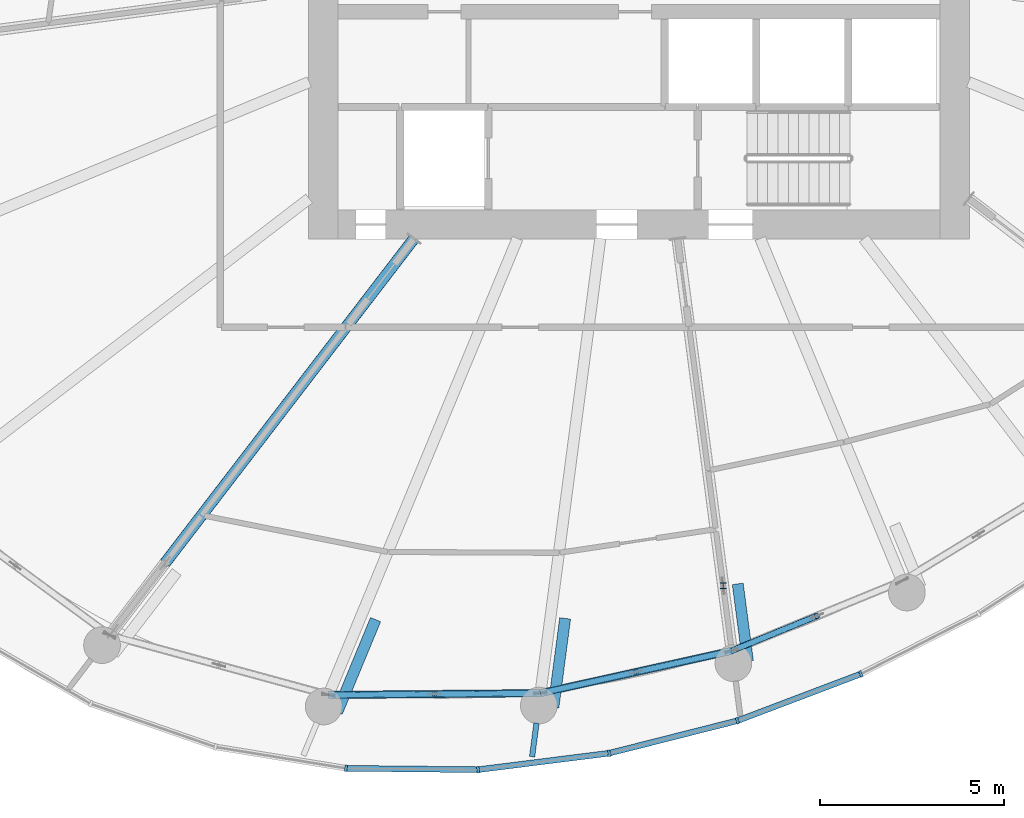
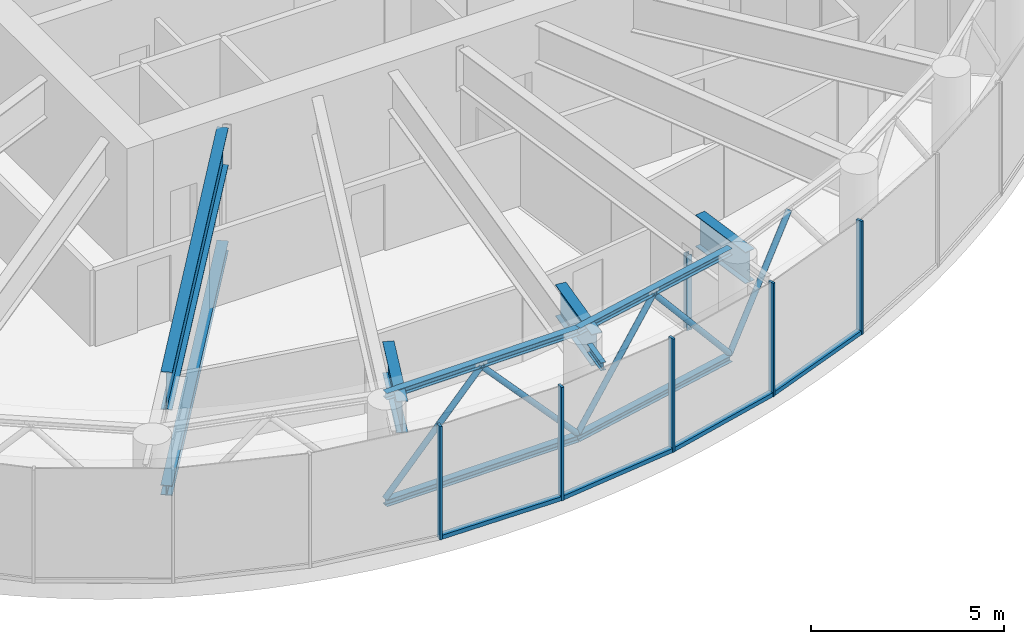
# One storey, part 3 of 25: 20 members, 5 beams, 1 element without a shape of its own.
"""IFC4 building model written with IfcOpenShell, lengths in metres."""

from ifc_helpers import new_model, si_unit, direction, frame, origin, origin_2d, place, context, subcontext, project, spatial, rectangle, hollow_circle, i_section, extrude, source, transform, mapped, material, layer, layer_set, material_profile, profile_set, type_object, element, aggregate, save


model = new_model("IFC4")

# Units and contexts
model_context = context("Model", 3, precision=1e-05, world=origin(), true_north=direction((0.0, 1.0)))
body_context = subcontext(model_context, "Body", "Model", "MODEL_VIEW")
ifc_project = project(units=[si_unit("LENGTHUNIT", "METRE"), si_unit("AREAUNIT", "SQUARE_METRE"), si_unit("VOLUMEUNIT", "CUBIC_METRE"), si_unit("PLANEANGLEUNIT", "RADIAN"), si_unit("MASSUNIT", "GRAM", prefix="KILO")], contexts=[model_context])

# Site, building, storey
site_placement = place(None, origin())
site = spatial("IfcSite", under=ifc_project, at=site_placement, CompositionType="ELEMENT")
building_placement = place(site_placement, origin())
building = spatial("IfcBuilding", under=site, at=building_placement, Name="Spindrift Exchange Tower", CompositionType="ELEMENT")
storey_placement = place(building_placement, frame((0.0, 0.0, 179.89990234375)))
storey = spatial("IfcBuildingStorey", under=building, at=storey_placement, Name="L43", CompositionType="ELEMENT", Elevation=179.89990234375)

# Beam
ifc_material_1 = material(Name="Steel Grade 300", Category="steel")
ifc_material_profile_1 = material_profile(ifc_material_1, i_section(OverallWidth=0.14599609375, OverallDepth=0.251953125, WebThickness=0.006103515625, FlangeThickness=0.008544921875, FilletRadius=0.011962890625, at=origin_2d()), Name="250UB31.4")
ifc_profile_set_1 = profile_set([ifc_material_profile_1], Name="Steel Grade 300")
beam_type_1 = type_object("IfcBeamType", Name="Cantilever Beam 250UB31.4 Steel Grade 300", PredefinedType="BEAM", material=ifc_profile_set_1)
shared_shape_1 = source(origin(), body_context, "Body", "SweptSolid", [
    extrude(i_section(OverallWidth=0.14599609375, OverallDepth=0.251953125, WebThickness=0.006103515625, FlangeThickness=0.008544921875, FilletRadius=0.011962890625, at=origin_2d()), origin(), (0.0, 0.0, 1.0), 0.9267578125),
])
beam_1_placement = place(storey_placement, frame((49.21142578125, 26.81884765625, 3.4541015625), z_axis=(-0.130386374353, -0.991463258716, 0.0), x_axis=(0.991463258716, -0.130386374353, 0.0)))
element("IfcBeam", 1, at=beam_1_placement, inside=storey, type_object=beam_type_1, Name="L43 cantilever beam R18T", PredefinedType="BEAM", context=body_context, shape_type="MappedRepresentation", body=[
    mapped(shared_shape_1, transform((0.0, 0.0, 0.0), scale=1.0)),
])

# Member
ifc_material_profile_2 = material_profile(ifc_material_1, i_section(OverallWidth=0.154052734375, OverallDepth=0.162109375, WebThickness=0.008056640625, FlangeThickness=0.011474609375, FilletRadius=0.008056640625, at=origin_2d()), Name="150UC37.2")
ifc_profile_set_2 = profile_set([ifc_material_profile_2], Name="Steel Grade 300")
member_type_1 = type_object("IfcMemberType", Name="Outrigger Truss Post 150UC37.2 Steel Grade 300", PredefinedType="POST", material=ifc_profile_set_2)
shared_shape_2 = source(origin(), body_context, "Body", "SweptSolid", [
    extrude(i_section(OverallWidth=0.154052734375, OverallDepth=0.162109375, WebThickness=0.008056640625, FlangeThickness=0.011474609375, FilletRadius=0.008056640625, at=origin_2d()), origin(), (0.0, 0.0, 1.0), 2.380126953125),
])
member_1_placement = place(storey_placement, frame((54.29638671875, 30.5576171875, 0.0), z_axis=(0.0, 0.0, 1.0), x_axis=(1.0, 0.0, 0.0)))
element("IfcMember", 2, at=member_1_placement, inside=storey, type_object=member_type_1, Name="L43 outrigger truss 19 post 1", PredefinedType="POST", context=body_context, shape_type="MappedRepresentation", body=[
    mapped(shared_shape_2, transform((0.0, 0.0, 0.0), scale=1.0)),
])

# Beam
ifc_material_profile_3 = material_profile(ifc_material_1, i_section(OverallWidth=0.300048828125, OverallDepth=1.199951171875, WebThickness=0.011962890625, FlangeThickness=0.028076171875, at=origin_2d()), Name="1200WB249")
ifc_profile_set_3 = profile_set([ifc_material_profile_3], Name="Steel Grade 300")
beam_type_2 = type_object("IfcBeamType", Name="Outrigger Truss Transfer Girder 1200WB249 Steel Grade 300", PredefinedType="BEAM", material=ifc_profile_set_3)
shared_shape_3 = source(origin(), body_context, "Body", "SweptSolid", [
    extrude(i_section(OverallWidth=0.300048828125, OverallDepth=1.199951171875, WebThickness=0.011962890625, FlangeThickness=0.028076171875, at=origin_2d()), origin(), (0.0, 0.0, 1.0), 11.14111328125),
])
beam_2_placement = place(storey_placement, frame((45.87353515625, 40.015869140625, 2.97998046875), z_axis=(-0.608757204711, -0.793356581691, 0.0), x_axis=(0.793356581691, -0.608757204711, 0.0)))
element("IfcBeam", 3, at=beam_2_placement, inside=storey, type_object=beam_type_2, Name="L43 outrigger truss 16 top chord 1", PredefinedType="BEAM", context=body_context, shape_type="MappedRepresentation", body=[
    mapped(shared_shape_3, transform((0.0, 0.0, 0.0), scale=1.0)),
])

# Members
ifc_material_profile_4 = material_profile(ifc_material_1, i_section(OverallWidth=0.306884765625, OverallDepth=0.31396484375, WebThickness=0.011962890625, FlangeThickness=0.018798828125, FilletRadius=0.0166015625, at=origin_2d()), Name="310UC118")
ifc_profile_set_4 = profile_set([ifc_material_profile_4], Name="Steel Grade 300")
member_type_2 = type_object("IfcMemberType", Name="Outrigger Truss Chord 310UC118 Steel Grade 300", PredefinedType="CHORD", material=ifc_profile_set_4)
shared_shape_4 = source(origin(), body_context, "Body", "SweptSolid", [
    extrude(i_section(OverallWidth=0.306884765625, OverallDepth=0.31396484375, WebThickness=0.011962890625, FlangeThickness=0.018798828125, FilletRadius=0.0166015625, at=origin_2d()), origin(), (0.0, 0.0, 1.0), 11.14111328125),
])
member_2_placement = place(storey_placement, frame((45.87353515625, 40.015869140625, -0.156982421875), z_axis=(-0.608757204711, -0.793356581691, 0.0), x_axis=(0.793356581691, -0.608757204711, 0.0)))
element("IfcMember", 4, at=member_2_placement, inside=storey, type_object=member_type_2, Name="L43 outrigger truss 16 bottom chord 1", PredefinedType="CHORD", context=body_context, shape_type="MappedRepresentation", body=[
    mapped(shared_shape_4, transform((0.0, 0.0, 0.0), scale=1.0)),
])
ifc_material_profile_5 = material_profile(ifc_material_1, i_section(OverallWidth=0.205078125, OverallDepth=0.2099609375, WebThickness=0.00927734375, FlangeThickness=0.01416015625, FilletRadius=0.012939453125, at=origin_2d()), Name="200UC59.5")
ifc_profile_set_5 = profile_set([ifc_material_profile_5], Name="Steel Grade 300")
member_type_3 = type_object("IfcMemberType", Name="Belt Truss Chord 200UC59.5 Steel Grade 300", PredefinedType="CHORD", material=ifc_profile_set_5)
shared_shape_5 = source(origin(), body_context, "Body", "SweptSolid", [
    extrude(i_section(OverallWidth=0.205078125, OverallDepth=0.2099609375, WebThickness=0.00927734375, FlangeThickness=0.01416015625, FilletRadius=0.012939453125, at=origin_2d()), origin(), (0.0, 0.0, 1.0), 5.775634765625),
])
for number, where, z_axis, x_axis, name in (
    (5, (43.543212890625, 27.583251953125, 3.47509765625), (0.999964618969, 0.008411944504, 0.0), (-0.008411944504, 0.999964618969, 0.0), "L43 belt truss 17 top chord"),
    (6, (43.543212890625, 27.583251953125, 0.10498046875), (0.999964618969, 0.008411944504, 0.0), (-0.008411944504, 0.999964618969, 0.0), "L43 belt truss 17 bottom chord"),
):
    element("IfcMember", number, at=place(storey_placement, frame(where, z_axis=z_axis, x_axis=x_axis)), inside=storey, type_object=member_type_3, Name=name, PredefinedType="CHORD", context=body_context, shape_type="MappedRepresentation", body=[
        mapped(shared_shape_5, transform((0.0, 0.0, 0.0), scale=1.0)),
    ])
ifc_material_2 = material(Name="Steel Grade 350", Category="steel")
ifc_material_profile_6 = material_profile(ifc_material_2, hollow_circle(Radius=0.084228515625, WallThickness=0.007080078125, at=origin_2d()), Name="168.3x7.1CHS")
ifc_profile_set_6 = profile_set([ifc_material_profile_6], Name="Steel Grade 350")
member_type_4 = type_object("IfcMemberType", Name="Belt Truss Diagonal 168.3x7.1CHS Steel Grade 350", PredefinedType="BRACE", material=ifc_profile_set_6)
shared_shape_6 = source(origin(), body_context, "Body", "SweptSolid", [
    extrude(hollow_circle(Radius=0.084228515625, WallThickness=0.007080078125, at=origin_2d()), origin(), (0.0, 0.0, 1.0), 4.28076171875),
])
for number, where, z_axis, x_axis, name in (
    (7, (43.543212890625, 27.583251953125, 0.210205078125), (0.674584460723, 0.005646251404, 0.738176080076), (-0.008369676394, 0.999964973645, 0.0), "L43 belt truss 17 diagonal 1"),
    (8, (46.430908203125, 27.607421875, 3.3701171875), (0.674584242395, 0.005703282401, -0.738175841167), (-0.008454212568, 0.999964262506, 0.0), "L43 belt truss 17 diagonal 2"),
):
    element("IfcMember", number, at=place(storey_placement, frame(where, z_axis=z_axis, x_axis=x_axis)), inside=storey, type_object=member_type_4, Name=name, PredefinedType="BRACE", context=body_context, shape_type="MappedRepresentation", body=[
        mapped(shared_shape_6, transform((0.0, 0.0, 0.0), scale=1.0)),
    ])
shared_shape_7 = source(origin(), body_context, "Body", "SweptSolid", [
    extrude(i_section(OverallWidth=0.205078125, OverallDepth=0.2099609375, WebThickness=0.00927734375, FlangeThickness=0.01416015625, FilletRadius=0.012939453125, at=origin_2d()), origin(), (0.0, 0.0, 1.0), 5.337158203125),
])
for number, where, z_axis, x_axis, name in (
    (9, (49.318603515625, 27.6318359375, 3.47509765625), (0.976342872598, 0.216228109013, 0.0), (-0.216228109013, 0.976342872598, 0.0), "L43 belt truss 18 top chord"),
    (10, (49.318603515625, 27.6318359375, 0.10498046875), (0.976342872598, 0.216228109013, 0.0), (-0.216228109013, 0.976342872598, 0.0), "L43 belt truss 18 bottom chord"),
):
    element("IfcMember", number, at=place(storey_placement, frame(where, z_axis=z_axis, x_axis=x_axis)), inside=storey, type_object=member_type_3, Name=name, PredefinedType="CHORD", context=body_context, shape_type="MappedRepresentation", body=[
        mapped(shared_shape_7, transform((0.0, 0.0, 0.0), scale=1.0)),
    ])
shared_shape_8 = source(origin(), body_context, "Body", "SweptSolid", [
    extrude(hollow_circle(Radius=0.084228515625, WallThickness=0.007080078125, at=origin_2d()), origin(), (0.0, 0.0, 1.0), 4.135986328125),
])
for number, where, z_axis, x_axis, name in (
    (11, (49.318603515625, 27.6318359375, 0.210205078125), (0.629951971126, 0.139484305451, 0.764005656136), (-0.21618450387, 0.976352528694, 0.0), "L43 belt truss 18 diagonal 1"),
    (12, (51.924072265625, 28.208740234375, 3.3701171875), (0.629946783353, 0.139542184768, -0.763999364406), (-0.216271712862, 0.976333214746, 0.0), "L43 belt truss 18 diagonal 2"),
):
    element("IfcMember", number, at=place(storey_placement, frame(where, z_axis=z_axis, x_axis=x_axis)), inside=storey, type_object=member_type_4, Name=name, PredefinedType="BRACE", context=body_context, shape_type="MappedRepresentation", body=[
        mapped(shared_shape_8, transform((0.0, 0.0, 0.0), scale=1.0)),
    ])
shared_shape_9 = source(origin(), body_context, "Body", "SweptSolid", [
    extrude(hollow_circle(Radius=0.084228515625, WallThickness=0.007080078125, at=origin_2d()), origin(), (0.0, 0.0, 1.0), 4.0341796875),
])
member_3_placement = place(storey_placement, frame((54.529541015625, 28.785888671875, 0.210205078125), z_axis=(0.5752212686, 0.235777176482, 0.783281312939), x_axis=(-0.379265774215, 0.925287778212, 0.0)))
element("IfcMember", 13, at=member_3_placement, inside=storey, type_object=member_type_4, Name="L43 belt truss 19 diagonal 1", PredefinedType="BRACE", context=body_context, shape_type="MappedRepresentation", body=[
    mapped(shared_shape_9, transform((0.0, 0.0, 0.0), scale=1.0)),
])

# Beams
ifc_material_profile_7 = material_profile(ifc_material_1, i_section(OverallWidth=0.300048828125, OverallDepth=1.0, WebThickness=0.010009765625, FlangeThickness=0.02001953125, at=origin_2d()), Name="1000WB215")
ifc_profile_set_7 = profile_set([ifc_material_profile_7], Name="Steel Grade 300")
beam_type_3 = type_object("IfcBeamType", Name="Transfer Tie Beam 1000WB215 Steel Grade 300", PredefinedType="BEAM", material=ifc_profile_set_7)
shared_shape_10 = source(origin(), body_context, "Body", "SweptSolid", [
    extrude(i_section(OverallWidth=0.300048828125, OverallDepth=1.0, WebThickness=0.010009765625, FlangeThickness=0.02001953125, at=origin_2d()), origin(), (0.0, 0.0, 1.0), 2.72900390625),
])
beam_3_placement = place(storey_placement, frame((43.78271484375, 27.115966796875, 2.97998046875), z_axis=(0.38263887752, 0.923897986474, 0.0), x_axis=(-0.923897986474, 0.38263887752, 0.0)))
element("IfcBeam", 14, at=beam_3_placement, inside=storey, type_object=beam_type_3, Name="L43 transfer tie beam K17", PredefinedType="BEAM", context=body_context, shape_type="MappedRepresentation", body=[
    mapped(shared_shape_10, transform((0.0, 0.0, 0.0), scale=1.0)),
])
shared_shape_11 = source(origin(), body_context, "Body", "SweptSolid", [
    extrude(i_section(OverallWidth=0.300048828125, OverallDepth=1.0, WebThickness=0.010009765625, FlangeThickness=0.02001953125, at=origin_2d()), origin(), (0.0, 0.0, 1.0), 2.447998046875),
])
beam_4_placement = place(storey_placement, frame((49.670654296875, 27.242431640625, 2.97998046875), z_axis=(0.130549967398, 0.991441731022, 0.0), x_axis=(-0.991441731022, 0.130549967398, 0.0)))
element("IfcBeam", 15, at=beam_4_placement, inside=storey, type_object=beam_type_3, Name="L43 transfer tie beam K18", PredefinedType="BEAM", context=body_context, shape_type="MappedRepresentation", body=[
    mapped(shared_shape_11, transform((0.0, 0.0, 0.0), scale=1.0)),
])
shared_shape_12 = source(origin(), body_context, "Body", "SweptSolid", [
    extrude(i_section(OverallWidth=0.300048828125, OverallDepth=1.0, WebThickness=0.010009765625, FlangeThickness=0.02001953125, at=origin_2d()), origin(), (0.0, 0.0, 1.0), 2.126953125),
])
beam_5_placement = place(storey_placement, frame((54.970703125, 28.5009765625, 2.97998046875), z_axis=(-0.130629702219, 0.991431228527, 0.0), x_axis=(-0.991431228527, -0.130629702219, 0.0)))
element("IfcBeam", 16, at=beam_5_placement, inside=storey, type_object=beam_type_3, Name="L43 transfer tie beam K19", PredefinedType="BEAM", context=body_context, shape_type="MappedRepresentation", body=[
    mapped(shared_shape_12, transform((0.0, 0.0, 0.0), scale=1.0)),
])

# Curtain wall, members
ifc_material_3 = material(Name="Fritted laminated glass with bronze frame", Category="glass")
ifc_layer = layer(ifc_material_3, 0.179931640625)
ifc_layer_set = layer_set([ifc_layer], Name="ZONE 3 BRONZE FRITTED WALL")
curtain_wall_type = type_object("IfcCurtainWallType", Name="ZONE 3 BRONZE FRITTED WALL", PredefinedType="NOTDEFINED", material=ifc_layer_set)
curtain_wall_placement = place(storey_placement, origin())
curtain_wall = element("IfcCurtainWall", 17, at=curtain_wall_placement, inside=storey, type_object=curtain_wall_type, Name="L43 Zone 3 Bronze Fritted Wall run 5", PredefinedType="NOTDEFINED")
ifc_material_4 = material(Name="Bronze anodised aluminium", Category="aluminium")
ifc_material_profile_8 = material_profile(ifc_material_4, rectangle(XDim=0.159912109375, YDim=0.1298828125, at=origin_2d()), Name="ZONE 3 BRONZE FRITTED WALL TRANSOM 160X130")
ifc_profile_set_8 = profile_set([ifc_material_profile_8], Name="Bronze anodised aluminium")
member_type_5 = type_object("IfcMemberType", Name="ZONE 3 BRONZE FRITTED WALL TRANSOM 160X130", PredefinedType="USERDEFINED", material=ifc_profile_set_8)
shared_shape_13 = source(origin(), body_context, "Body", "SweptSolid", [
    extrude(rectangle(XDim=0.159912109375, YDim=0.1298828125, at=origin_2d()), origin(), (0.0, 0.0, 1.0), 3.53076171875),
])
member_4_placement = place(storey_placement, frame((54.714111328125, 26.891845703125, 0.065185546875), z_axis=(0.935052859981, 0.35450832013, 0.0), x_axis=(-0.35450832013, 0.935052859981, 0.0)))
member_4 = element("IfcMember", 18, at=member_4_placement, type_object=member_type_5, Name="L43 transom CW-3.29", ObjectType="TRANSOM", PredefinedType="USERDEFINED", context=body_context, shape_type="MappedRepresentation", body=[
    mapped(shared_shape_13, transform((0.0, 0.0, 0.0), scale=1.0)),
])
shared_shape_14 = source(origin(), body_context, "Body", "SweptSolid", [
    extrude(rectangle(XDim=0.159912109375, YDim=0.1298828125, at=origin_2d()), origin(), (0.0, 0.0, 1.0), 3.5302734375),
])
member_5_placement = place(storey_placement, frame((47.65380859375, 25.551513671875, 0.065185546875), z_axis=(0.992204289439, 0.124622020601, 0.0), x_axis=(-0.124622020601, 0.992204289439, 0.0)))
member_5 = element("IfcMember", 19, at=member_5_placement, type_object=member_type_5, Name="L43 transom CW-3.27", ObjectType="TRANSOM", PredefinedType="USERDEFINED", context=body_context, shape_type="MappedRepresentation", body=[
    mapped(shared_shape_14, transform((0.0, 0.0, 0.0), scale=1.0)),
])
member_6_placement = place(storey_placement, frame((51.22509765625, 26.00439453125, 0.065185546875), z_axis=(0.969414083557, 0.245430916147, 0.0), x_axis=(-0.245430916147, 0.969414083557, 0.0)))
member_6 = element("IfcMember", 20, at=member_6_placement, type_object=member_type_5, Name="L43 transom CW-3.28", ObjectType="TRANSOM", PredefinedType="USERDEFINED", context=body_context, shape_type="MappedRepresentation", body=[
    mapped(shared_shape_14, transform((0.0, 0.0, 0.0), scale=1.0)),
])
ifc_material_profile_9 = material_profile(ifc_material_4, rectangle(XDim=0.070068359375, YDim=0.179931640625, at=origin_2d()), Name="ZONE 3 BRONZE FRITTED WALL MULLION 70X180")
ifc_profile_set_9 = profile_set([ifc_material_profile_9], Name="Bronze anodised aluminium")
member_type_6 = type_object("IfcMemberType", Name="ZONE 3 BRONZE FRITTED WALL MULLION 70X180", PredefinedType="MULLION", material=ifc_profile_set_9)
shared_shape_15 = source(origin(), body_context, "Body", "SweptSolid", [
    extrude(rectangle(XDim=0.070068359375, YDim=0.179931640625, at=origin_2d()), origin(), (0.0, 0.0, 1.0), 3.580078125),
])
member_7_placement = place(storey_placement, frame((44.019775390625, 25.584716796875, 0.0), z_axis=(0.0, 0.0, 1.0), x_axis=(0.996293912806, -0.086014180836, 0.0)))
member_7 = element("IfcMember", 21, at=member_7_placement, type_object=member_type_6, Name="L43 mullion CW-3.26", PredefinedType="MULLION", context=body_context, shape_type="MappedRepresentation", body=[
    mapped(shared_shape_15, transform((0.0, 0.0, 0.0), scale=1.0)),
])
member_8_placement = place(storey_placement, frame((47.618896484375, 25.547119140625, 0.0), z_axis=(0.0, 0.0, 1.0), x_axis=(0.998362110379, 0.057210982861, 0.0)))
member_8 = element("IfcMember", 22, at=member_8_placement, type_object=member_type_6, Name="L43 mullion CW-3.27", PredefinedType="MULLION", context=body_context, shape_type="MappedRepresentation", body=[
    mapped(shared_shape_15, transform((0.0, 0.0, 0.0), scale=1.0)),
])
member_9_placement = place(storey_placement, frame((51.191162109375, 25.99560546875, 0.0), z_axis=(0.0, 0.0, 1.0), x_axis=(0.982667935689, 0.185374561815, 0.0)))
member_9 = element("IfcMember", 23, at=member_9_placement, type_object=member_type_6, Name="L43 mullion CW-3.28", PredefinedType="MULLION", context=body_context, shape_type="MappedRepresentation", body=[
    mapped(shared_shape_15, transform((0.0, 0.0, 0.0), scale=1.0)),
])
member_10_placement = place(storey_placement, frame((54.681396484375, 26.87939453125, 0.0), z_axis=(0.0, 0.0, 1.0), x_axis=(0.953792026504, 0.300467585902, 0.0)))
member_10 = element("IfcMember", 24, at=member_10_placement, type_object=member_type_6, Name="L43 mullion CW-3.29", PredefinedType="MULLION", context=body_context, shape_type="MappedRepresentation", body=[
    mapped(shared_shape_15, transform((0.0, 0.0, 0.0), scale=1.0)),
])
member_11_placement = place(storey_placement, frame((58.04833984375, 28.156005859375, 0.0), z_axis=(0.0, 0.0, 1.0), x_axis=(0.914434609891, 0.404733670743, 0.0)))
member_11 = element("IfcMember", 25, at=member_11_placement, type_object=member_type_6, Name="L43 mullion CW-3.30", PredefinedType="MULLION", context=body_context, shape_type="MappedRepresentation", body=[
    mapped(shared_shape_15, transform((0.0, 0.0, 0.0), scale=1.0)),
])
shared_shape_16 = source(origin(), body_context, "Body", "SweptSolid", [
    extrude(rectangle(XDim=0.159912109375, YDim=0.1298828125, at=origin_2d()), origin(), (0.0, 0.0, 1.0), 3.529541015625),
])
member_12_placement = place(storey_placement, frame((44.0546875, 25.584228515625, 0.065185546875), z_axis=(0.999946170397, -0.01037575578, 0.0), x_axis=(0.01037575578, 0.999946170397, 0.0)))
member_12 = element("IfcMember", 26, at=member_12_placement, type_object=member_type_5, Name="L43 transom CW-3.26", ObjectType="TRANSOM", PredefinedType="USERDEFINED", context=body_context, shape_type="MappedRepresentation", body=[
    mapped(shared_shape_16, transform((0.0, 0.0, 0.0), scale=1.0)),
])
aggregate(curtain_wall, [member_7, member_12, member_8, member_5, member_9, member_6, member_10, member_4, member_11])

save(model, "model.ifc")
